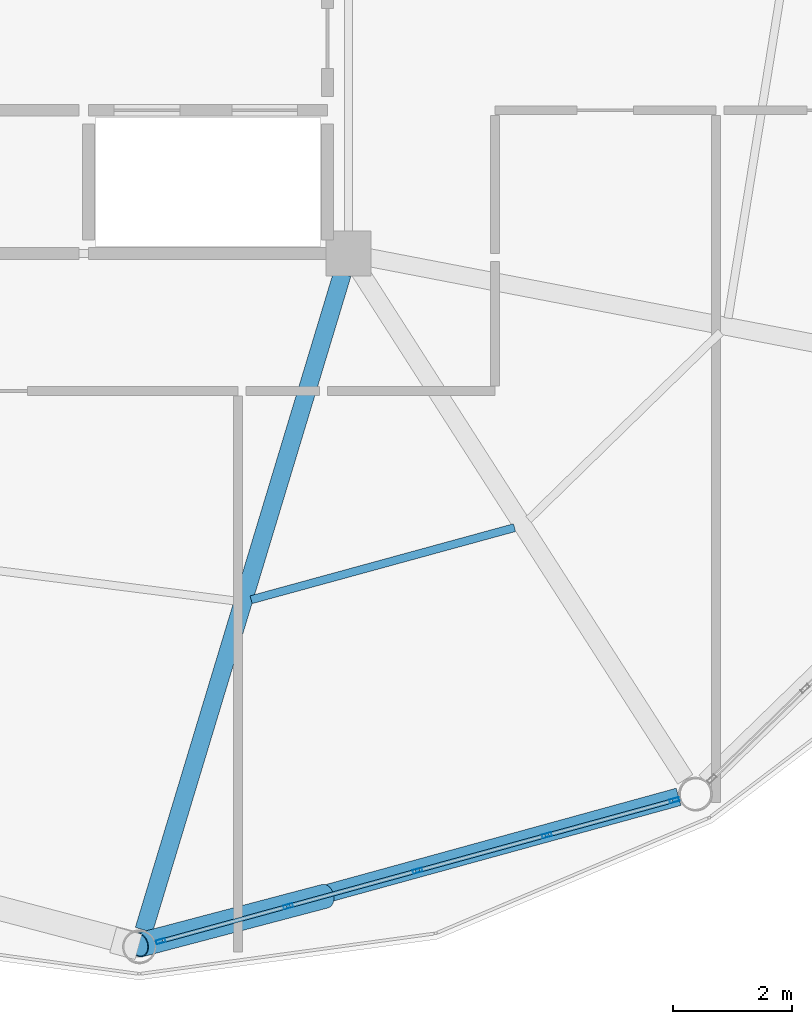
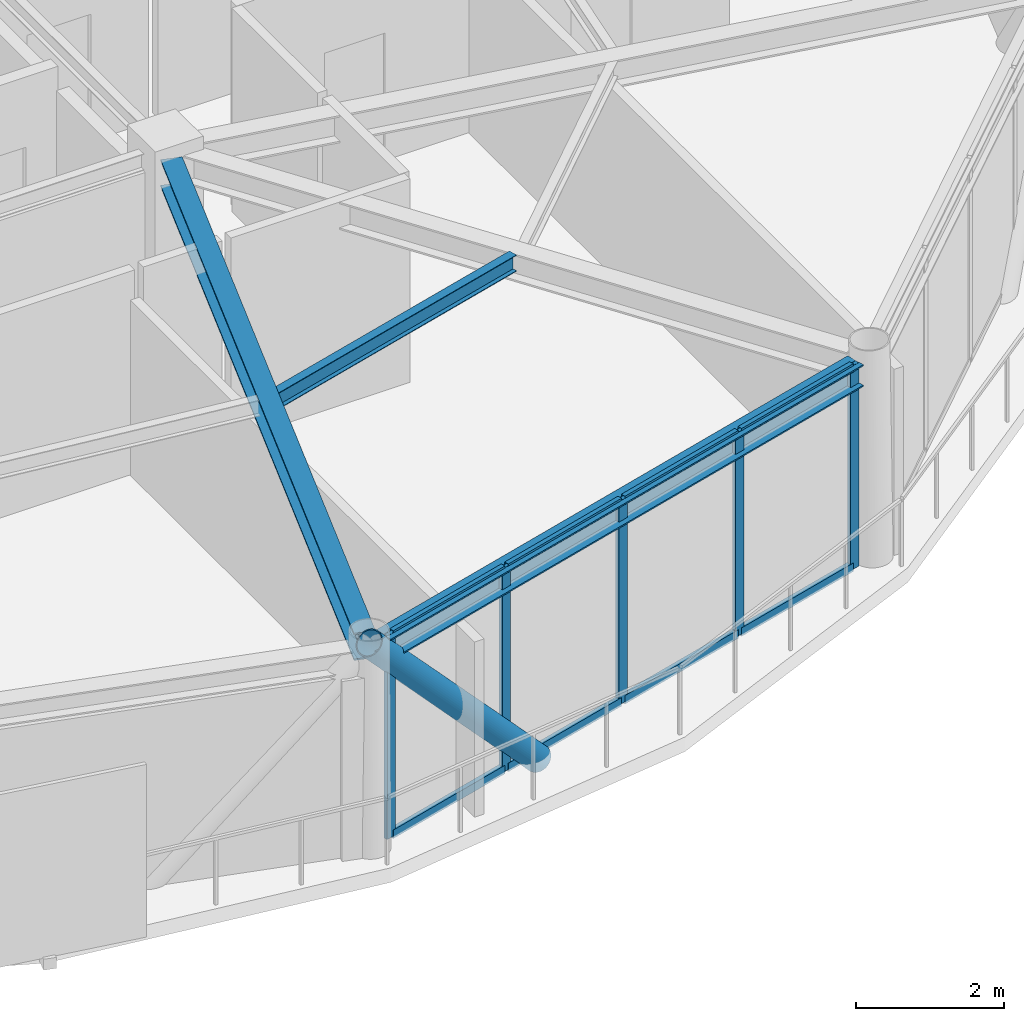
# One storey, part 7 of 27: 14 members, 3 beams, 1 element without a shape of its own.
"""IFC4 building model written with IfcOpenShell, lengths in metres."""

from ifc_helpers import new_model, si_unit, direction, frame, origin, origin_2d, place, context, subcontext, project, spatial, hollow_rectangle, hollow_circle, i_section, extrude, material, layer, layer_set, material_profile, profile_set, type_object, element, aggregate, save


model = new_model("IFC4")

# Units and contexts
model_context = context("Model", 3, precision=1e-05, world=origin(), true_north=direction((0.0, 1.0)))
body_context = subcontext(model_context, "Body", "Model", "MODEL_VIEW")
ifc_project = project(units=[si_unit("LENGTHUNIT", "METRE"), si_unit("AREAUNIT", "SQUARE_METRE"), si_unit("VOLUMEUNIT", "CUBIC_METRE"), si_unit("PLANEANGLEUNIT", "RADIAN"), si_unit("MASSUNIT", "GRAM", prefix="KILO")], contexts=[model_context])

# Site, building, storey
site_placement = place(None, origin())
site = spatial("IfcSite", under=ifc_project, at=site_placement, CompositionType="ELEMENT")
building_placement = place(site_placement, origin())
building = spatial("IfcBuilding", under=site, at=building_placement, Name="Varnakorn Sky Granary", CompositionType="ELEMENT")
storey_placement = place(building_placement, frame((0.0, 0.0, 232.800048828125)))
storey = spatial("IfcBuildingStorey", under=building, at=storey_placement, Name="L59", CompositionType="ELEMENT", Elevation=232.800048828125)

# Beams
ifc_material_1 = material(Name="Steel S355JR", Category="steel")
ifc_material_profile_1 = material_profile(ifc_material_1, i_section(OverallWidth=0.300048828125, OverallDepth=0.449951171875, WebThickness=0.013916015625, FlangeThickness=0.02587890625, at=origin_2d()), Name="HE 450 B")
ifc_profile_set_1 = profile_set([ifc_material_profile_1], Name="Steel S355JR")
beam_type_1 = type_object("IfcBeamType", Name="BM-RAD-Z5", PredefinedType="BEAM", material=ifc_profile_set_1)
beam_1_placement = place(storey_placement, frame((8.247314453125, -6.939697265625, 3.135009765625), z_axis=(-0.289461600014, -0.957189627042, 0.0), x_axis=(0.957189627042, -0.289461600014, 0.0)))
element("IfcBeam", 1, at=beam_1_placement, inside=storey, type_object=beam_type_1, Name="Radial Floor Girder RG10 L59", PredefinedType="BEAM", context=body_context, shape_type="SweptSolid", body=[
    extrude(i_section(OverallWidth=0.300048828125, OverallDepth=0.449951171875, WebThickness=0.013916015625, FlangeThickness=0.02587890625, at=origin_2d()), origin(), (0.0, 0.0, 1.0), 11.472412109375),
])
ifc_material_profile_2 = material_profile(ifc_material_1, i_section(OverallWidth=0.135009765625, OverallDepth=0.27001953125, WebThickness=0.006591796875, FlangeThickness=0.01025390625, at=origin_2d()), Name="IPE 270")
ifc_profile_set_2 = profile_set([ifc_material_profile_2], Name="Steel S355JR")
beam_type_2 = type_object("IfcBeamType", Name="BM-SEC-Z5", PredefinedType="BEAM", material=ifc_profile_set_2)
beam_2_placement = place(storey_placement, frame((6.721923828125, -12.393310546875, 3.224853515625), z_axis=(0.964497064132, 0.264093569177, 0.0), x_axis=(-0.264093569177, 0.964497064132, 0.0)))
element("IfcBeam", 2, at=beam_2_placement, inside=storey, type_object=beam_type_2, Name="Secondary Floor Chord Beam MSB10 L59", PredefinedType="BEAM", context=body_context, shape_type="SweptSolid", body=[
    extrude(i_section(OverallWidth=0.135009765625, OverallDepth=0.27001953125, WebThickness=0.006591796875, FlangeThickness=0.01025390625, at=origin_2d()), origin(), (0.0, 0.0, 1.0), 4.570556640625),
])
ifc_material_profile_3 = material_profile(ifc_material_1, i_section(OverallWidth=0.300048828125, OverallDepth=0.360107421875, WebThickness=0.012451171875, FlangeThickness=0.0224609375, at=origin_2d()), Name="HE 360 B")
ifc_profile_set_3 = profile_set([ifc_material_profile_3], Name="Steel S355JR")
beam_type_3 = type_object("IfcBeamType", Name="BM-SPD-Z5", PredefinedType="SPANDREL", material=ifc_profile_set_3)
beam_3_placement = place(storey_placement, frame((5.10498046875, -18.10400390625, 3.179931640625), z_axis=(0.964220486404, 0.26510159109, 0.0), x_axis=(-0.26510159109, 0.964220486404, 0.0)))
element("IfcBeam", 3, at=beam_3_placement, inside=storey, type_object=beam_type_3, Name="Perimeter Spandrel Ring Beam RB10 L59", PredefinedType="SPANDREL", context=body_context, shape_type="SweptSolid", body=[
    extrude(i_section(OverallWidth=0.300048828125, OverallDepth=0.360107421875, WebThickness=0.012451171875, FlangeThickness=0.0224609375, at=origin_2d()), origin(), (0.0, 0.0, 1.0), 9.096923828125),
])

# Curtain wall, members
ifc_material_2 = material(Name="Anodised Bronze Aluminium Alloy 6063-T6", Category="aluminium")
ifc_layer = layer(ifc_material_2, 0.169921875, Name="Anodised Bronze Aluminium Alloy 6063-T6")
ifc_layer_set = layer_set([ifc_layer], Name="Anodised Bronze Aluminium Alloy 6063-T6")
curtain_wall_type = type_object("IfcCurtainWallType", Name="CW-LAB-1", PredefinedType="USERDEFINED", material=ifc_layer_set)
curtain_wall_placement = place(storey_placement, origin())
curtain_wall = element("IfcCurtainWall", 4, at=curtain_wall_placement, inside=storey, type_object=curtain_wall_type, Name="Unitised Curtain Wall CW5 CW-L59-B10", ObjectType="CURTAIN WALL", PredefinedType="USERDEFINED")
ifc_material_profile_4 = material_profile(ifc_material_2, hollow_rectangle(XDim=0.06494140625, YDim=0.159912109375, WallThickness=0.00341796875, at=origin_2d()), Name="ALU MULL 65x160")
ifc_profile_set_4 = profile_set([ifc_material_profile_4], Name="Anodised Bronze Aluminium Alloy 6063-T6")
member_type_1 = type_object("IfcMemberType", Name="CW-LAB-1-MULL", PredefinedType="MULLION", material=ifc_profile_set_4)
member_1_placement = place(storey_placement, frame((13.806640625, -15.75, 0.0), z_axis=(0.0, 0.0, 1.0), x_axis=(0.26463962686, -0.964347379265, 0.0)))
member_1 = element("IfcMember", 5, at=member_1_placement, type_object=member_type_1, Name="CW5 mullion 1", PredefinedType="MULLION", context=body_context, shape_type="SweptSolid", body=[
    extrude(hollow_rectangle(XDim=0.06494140625, YDim=0.159912109375, WallThickness=0.00341796875, at=origin_2d()), origin(), (0.0, 0.0, 1.0), 3.35986328125),
])
member_2_placement = place(storey_placement, frame((11.6728515625, -16.335693359375, 0.0), z_axis=(0.0, 0.0, 1.0), x_axis=(0.26463962686, -0.964347379265, 0.0)))
member_2 = element("IfcMember", 6, at=member_2_placement, type_object=member_type_1, Name="CW5 mullion 2", PredefinedType="MULLION", context=body_context, shape_type="SweptSolid", body=[
    extrude(hollow_rectangle(XDim=0.06494140625, YDim=0.159912109375, WallThickness=0.00341796875, at=origin_2d()), origin(), (0.0, 0.0, 1.0), 3.35986328125),
])
member_3_placement = place(storey_placement, frame((9.5078125, -16.929931640625, 0.0), z_axis=(0.0, 0.0, 1.0), x_axis=(0.26463962686, -0.964347379265, 0.0)))
member_3 = element("IfcMember", 7, at=member_3_placement, type_object=member_type_1, Name="CW5 mullion 3", PredefinedType="MULLION", context=body_context, shape_type="SweptSolid", body=[
    extrude(hollow_rectangle(XDim=0.06494140625, YDim=0.159912109375, WallThickness=0.00341796875, at=origin_2d()), origin(), (0.0, 0.0, 1.0), 3.35986328125),
])
member_4_placement = place(storey_placement, frame((7.342529296875, -17.52392578125, 0.0), z_axis=(0.0, 0.0, 1.0), x_axis=(0.26463962686, -0.964347379265, 0.0)))
member_4 = element("IfcMember", 8, at=member_4_placement, type_object=member_type_1, Name="CW5 mullion 4", PredefinedType="MULLION", context=body_context, shape_type="SweptSolid", body=[
    extrude(hollow_rectangle(XDim=0.06494140625, YDim=0.159912109375, WallThickness=0.00341796875, at=origin_2d()), origin(), (0.0, 0.0, 1.0), 3.35986328125),
])
member_5_placement = place(storey_placement, frame((5.208740234375, -18.109619140625, 0.0), z_axis=(0.0, 0.0, 1.0), x_axis=(0.26463962686, -0.964347379265, 0.0)))
member_5 = element("IfcMember", 9, at=member_5_placement, type_object=member_type_1, Name="CW5 mullion 5", PredefinedType="MULLION", context=body_context, shape_type="SweptSolid", body=[
    extrude(hollow_rectangle(XDim=0.06494140625, YDim=0.159912109375, WallThickness=0.00341796875, at=origin_2d()), origin(), (0.0, 0.0, 1.0), 3.35986328125),
])
ifc_material_profile_5 = material_profile(ifc_material_2, hollow_rectangle(XDim=0.070068359375, YDim=0.139892578125, WallThickness=0.00341796875, at=origin_2d()), Name="ALU TRAN 70x140")
ifc_profile_set_5 = profile_set([ifc_material_profile_5], Name="Anodised Bronze Aluminium Alloy 6063-T6")
member_type_2 = type_object("IfcMemberType", Name="CW-LAB-1-TRAN", PredefinedType="USERDEFINED", material=ifc_profile_set_5)
member_6_placement = place(storey_placement, frame((13.775390625, -15.7587890625, 0.034912109375), z_axis=(-0.964345491631, -0.264646505307, 0.0), x_axis=(0.264646505307, -0.964345491631, 0.0)))
member_6 = element("IfcMember", 10, at=member_6_placement, type_object=member_type_2, Name="CW5 transom 1.1", ObjectType="TRANSOM", PredefinedType="USERDEFINED", context=body_context, shape_type="SweptSolid", body=[
    extrude(hollow_rectangle(XDim=0.070068359375, YDim=0.139892578125, WallThickness=0.00341796875, at=origin_2d()), origin(), (0.0, 0.0, 1.0), 2.147705078125),
])
member_7_placement = place(storey_placement, frame((13.775390625, -15.7587890625, 3.324951171875), z_axis=(-0.964345491631, -0.264646505307, 0.0), x_axis=(0.264646505307, -0.964345491631, 0.0)))
member_7 = element("IfcMember", 11, at=member_7_placement, type_object=member_type_2, Name="CW5 transom 1.2", ObjectType="TRANSOM", PredefinedType="USERDEFINED", context=body_context, shape_type="SweptSolid", body=[
    extrude(hollow_rectangle(XDim=0.070068359375, YDim=0.139892578125, WallThickness=0.00341796875, at=origin_2d()), origin(), (0.0, 0.0, 1.0), 2.147705078125),
])
member_8_placement = place(storey_placement, frame((11.6416015625, -16.34423828125, 0.034912109375), z_axis=(-0.964356968435, -0.264604681423, 0.0), x_axis=(0.264604681423, -0.964356968435, 0.0)))
member_8 = element("IfcMember", 12, at=member_8_placement, type_object=member_type_2, Name="CW5 transom 2.1", ObjectType="TRANSOM", PredefinedType="USERDEFINED", context=body_context, shape_type="SweptSolid", body=[
    extrude(hollow_rectangle(XDim=0.070068359375, YDim=0.139892578125, WallThickness=0.00341796875, at=origin_2d()), origin(), (0.0, 0.0, 1.0), 2.18017578125),
])
member_9_placement = place(storey_placement, frame((11.6416015625, -16.34423828125, 3.324951171875), z_axis=(-0.964356968435, -0.264604681423, 0.0), x_axis=(0.264604681423, -0.964356968435, 0.0)))
member_9 = element("IfcMember", 13, at=member_9_placement, type_object=member_type_2, Name="CW5 transom 2.2", ObjectType="TRANSOM", PredefinedType="USERDEFINED", context=body_context, shape_type="SweptSolid", body=[
    extrude(hollow_rectangle(XDim=0.070068359375, YDim=0.139892578125, WallThickness=0.00341796875, at=origin_2d()), origin(), (0.0, 0.0, 1.0), 2.18017578125),
])
member_10_placement = place(storey_placement, frame((9.476318359375, -16.9384765625, 0.034912109375), z_axis=(-0.964349126934, -0.264633258268, 0.0), x_axis=(0.264633258268, -0.964349126934, 0.0)))
member_10 = element("IfcMember", 14, at=member_10_placement, type_object=member_type_2, Name="CW5 transom 3.1", ObjectType="TRANSOM", PredefinedType="USERDEFINED", context=body_context, shape_type="SweptSolid", body=[
    extrude(hollow_rectangle(XDim=0.070068359375, YDim=0.139892578125, WallThickness=0.00341796875, at=origin_2d()), origin(), (0.0, 0.0, 1.0), 2.179931640625),
])
member_11_placement = place(storey_placement, frame((9.476318359375, -16.9384765625, 3.324951171875), z_axis=(-0.964349126934, -0.264633258268, 0.0), x_axis=(0.264633258268, -0.964349126934, 0.0)))
member_11 = element("IfcMember", 15, at=member_11_placement, type_object=member_type_2, Name="CW5 transom 3.2", ObjectType="TRANSOM", PredefinedType="USERDEFINED", context=body_context, shape_type="SweptSolid", body=[
    extrude(hollow_rectangle(XDim=0.070068359375, YDim=0.139892578125, WallThickness=0.00341796875, at=origin_2d()), origin(), (0.0, 0.0, 1.0), 2.179931640625),
])
member_12_placement = place(storey_placement, frame((7.311279296875, -17.53271484375, 0.034912109375), z_axis=(-0.9643534522, -0.264617496077, 0.0), x_axis=(0.264617496077, -0.9643534522, 0.0)))
member_12 = element("IfcMember", 16, at=member_12_placement, type_object=member_type_2, Name="CW5 transom 4.1", ObjectType="TRANSOM", PredefinedType="USERDEFINED", context=body_context, shape_type="SweptSolid", body=[
    extrude(hollow_rectangle(XDim=0.070068359375, YDim=0.139892578125, WallThickness=0.00341796875, at=origin_2d()), origin(), (0.0, 0.0, 1.0), 2.14794921875),
])
member_13_placement = place(storey_placement, frame((7.311279296875, -17.53271484375, 3.324951171875), z_axis=(-0.9643534522, -0.264617496077, 0.0), x_axis=(0.264617496077, -0.9643534522, 0.0)))
member_13 = element("IfcMember", 17, at=member_13_placement, type_object=member_type_2, Name="CW5 transom 4.2", ObjectType="TRANSOM", PredefinedType="USERDEFINED", context=body_context, shape_type="SweptSolid", body=[
    extrude(hollow_rectangle(XDim=0.070068359375, YDim=0.139892578125, WallThickness=0.00341796875, at=origin_2d()), origin(), (0.0, 0.0, 1.0), 2.14794921875),
])
aggregate(curtain_wall, [member_1, member_2, member_3, member_4, member_5, member_6, member_7, member_8, member_9, member_10, member_11, member_12, member_13])

# Member
ifc_material_3 = material(Name="Steel S460M", Category="steel")
ifc_material_profile_6 = material_profile(ifc_material_3, hollow_circle(Radius=0.203125, WallThickness=0.01611328125, at=origin_2d()), Name="CHS 406.4x16")
ifc_profile_set_6 = profile_set([ifc_material_profile_6], Name="Steel S460M")
member_type_3 = type_object("IfcMemberType", Name="MB-DIAG-T4", PredefinedType="BRACE", material=ifc_profile_set_6)
member_14_placement = place(storey_placement, frame((7.955078125, -17.35595703125, -0.130126953125), z_axis=(-0.654729259365, -0.172511224102, 0.73591404015), x_axis=(0.254788952138, -0.966996685552, 0.0)))
element("IfcMember", 18, at=member_14_placement, inside=storey, type_object=member_type_3, Name="Perimeter CHS Diagrid Brace DG10 L59", PredefinedType="BRACE", context=body_context, shape_type="SweptSolid", body=[
    extrude(hollow_circle(Radius=0.203125, WallThickness=0.01611328125, at=origin_2d()), origin(), (0.0, 0.0, 1.0), 4.742431640625),
])

save(model, "model.ifc")
